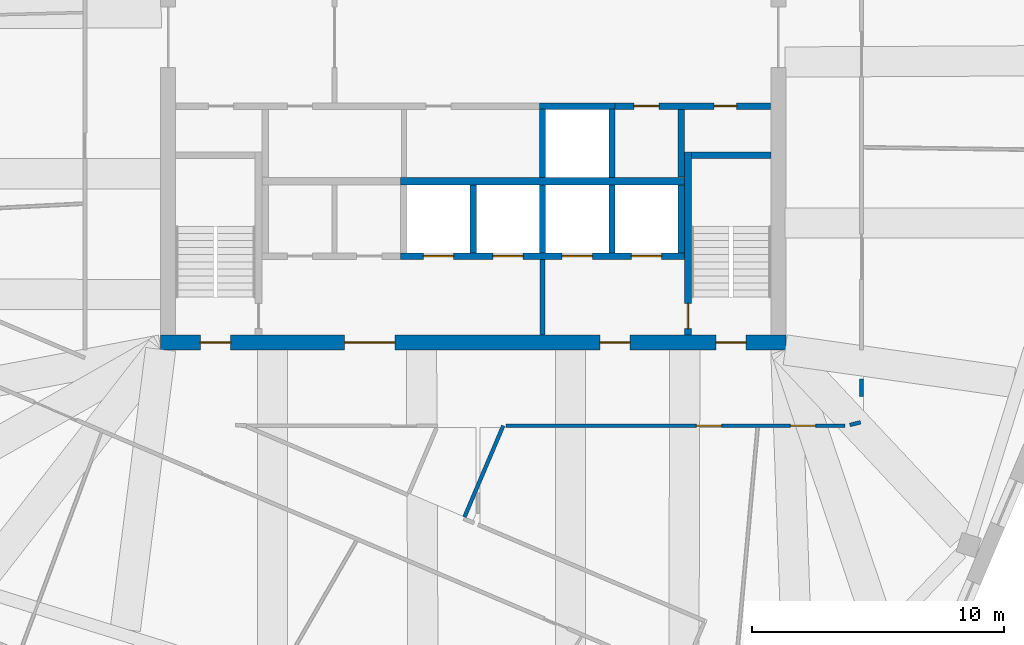
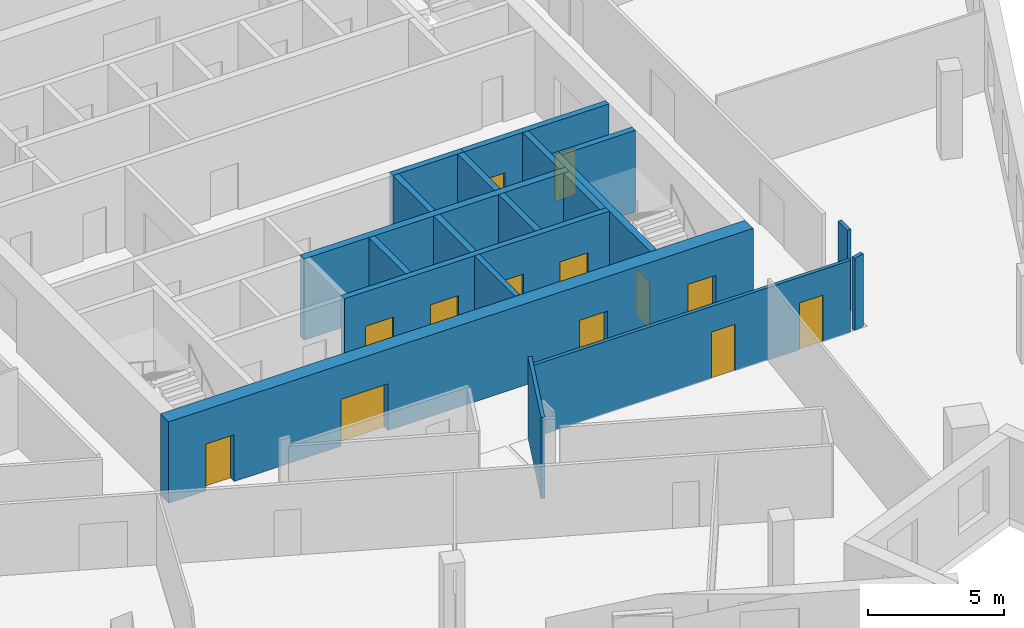
# One storey, part 7 of 13: 19 walls, 13 doors, 13 openings.
"""IFC4 building model written with IfcOpenShell, lengths in metres."""

import ifcopenshell
import ifcopenshell.guid

model = None  # the IFC model being written
_history = None  # IfcOwnerHistory: only IFC2X3 demands one
_inside = {}  # id of a spatial element -> (the spatial element, [elements in it])
_under = {}  # id of a project, library or spatial element -> (it, [spatial elements below it])
_declared = {}  # id of a project -> (the project, [libraries it declares])
_typed = {}  # id of a type object -> (the type object, [elements of that type])
_made_of = {}  # id of a material, layer set ... -> (it, [elements and type objects made of it])


def new_model(schema):
    """Start an empty IFC model of exactly this schema.

    Asked for "IFC4X3", IfcOpenShell would pick the latest addendum, in which some entities
    have other attributes; the version numbers below select the first issue.
    IFC2X3 requires an IfcOwnerHistory on every rooted entity: one is made here for all.
    """
    global model, _history
    if schema == "IFC4X3":
        model = ifcopenshell.file(schema_version=(4, 3, 0, 0))
    else:
        model = ifcopenshell.file(schema=schema)
    _inside.clear()
    _under.clear()
    _declared.clear()
    _typed.clear()
    _made_of.clear()
    _history = None
    if model.schema == "IFC2X3":
        org = make("IfcOrganization", Name="unknown")
        user = make(
            "IfcPersonAndOrganization",
            ThePerson=make("IfcPerson", FamilyName="unknown"),
            TheOrganization=org,
        )
        app = make(
            "IfcApplication",
            ApplicationDeveloper=org,
            Version="unknown",
            ApplicationFullName="unknown",
            ApplicationIdentifier="unknown",
        )
        _history = make(
            "IfcOwnerHistory",
            OwningUser=user,
            OwningApplication=app,
            ChangeAction="ADDED",
            CreationDate=0,
        )
    return model


def make(cls, **values):
    """One entity of the class cls with the attributes given. An attribute that is None is left unset."""
    return model.create_entity(
        cls, **{name: value for name, value in values.items() if value is not None}
    )


def rooted(cls, **values):
    """An entity with a GlobalId (a new one), such as an element, a storey or a relation."""
    return make(cls, GlobalId=ifcopenshell.guid.new(), OwnerHistory=_history, **values)


def si_unit(unit_type, name, prefix=None):
    """IfcSIUnit, for example si_unit("LENGTHUNIT", "METRE", prefix="MILLI")."""
    return make("IfcSIUnit", UnitType=unit_type, Prefix=prefix, Name=name)


def assignment(units):
    """IfcUnitAssignment: the units of a project."""
    return None if units is None else make("IfcUnitAssignment", Units=units)


def point(xyz):
    """IfcCartesianPoint."""
    return None if xyz is None else make("IfcCartesianPoint", Coordinates=xyz)


def direction(xyz):
    """IfcDirection."""
    return None if xyz is None else make("IfcDirection", DirectionRatios=xyz)


def frame(location, z_axis=None, x_axis=None):
    """IfcAxis2Placement3D, a coordinate frame: its origin and axes. An axis left out is left unset."""
    return make(
        "IfcAxis2Placement3D",
        Location=point(location),
        Axis=direction(z_axis),
        RefDirection=direction(x_axis),
    )


def frame_2d(location, x_axis=None):
    """IfcAxis2Placement2D, a coordinate frame in the plane: its origin and x axis."""
    return make(
        "IfcAxis2Placement2D", Location=point(location), RefDirection=direction(x_axis)
    )


def origin():
    """The frame at (0, 0, 0) with its axes left unset."""
    return frame((0.0, 0.0, 0.0))


def place(relative_to, where):
    """IfcLocalPlacement: puts the frame where relative to a parent placement (None: the world)."""
    return make(
        "IfcLocalPlacement", PlacementRelTo=relative_to, RelativePlacement=where
    )


def context(
    kind, dimensions, precision=None, world=None, true_north=None, identifier=None
):
    """IfcGeometricRepresentationContext, for example the 3D "Model" context."""
    return make(
        "IfcGeometricRepresentationContext",
        ContextIdentifier=identifier,
        ContextType=kind,
        CoordinateSpaceDimension=dimensions,
        Precision=precision,
        WorldCoordinateSystem=world,
        TrueNorth=true_north,
    )


def subcontext(parent, identifier, kind, view, scale=None):
    """IfcGeometricRepresentationSubContext, for example "Body" below "Model"."""
    return make(
        "IfcGeometricRepresentationSubContext",
        ContextIdentifier=identifier,
        ContextType=kind,
        ParentContext=parent,
        TargetScale=scale,
        TargetView=view,
    )


def project(units=None, contexts=None):
    """IfcProject with its units and contexts."""
    return rooted(
        "IfcProject",
        Name="project",
        RepresentationContexts=contexts,
        UnitsInContext=assignment(units),
    )


def spatial(cls, under=None, at=None, **own):
    """A site, building, storey or space (cls), placed at a placement, below another one or the project."""
    s = rooted(cls, ObjectPlacement=at, **own)
    if under is not None:
        _under.setdefault(under.id(), (under, []))[1].append(s)
    return s


def profile(cls, at=None, kind="AREA", **sizes):
    """A parametric profile (cls). Its sizes go by their IFC names, for example OverallWidth=200.0."""
    return make(cls, ProfileType=kind, Position=at, **sizes)


def rectangle(**sizes):
    """IfcRectangleProfileDef."""
    return profile("IfcRectangleProfileDef", **sizes)


def extrude(swept, where, along, depth):
    """IfcExtrudedAreaSolid: the profile swept, set in the frame where, extruded along a direction by depth."""
    return make(
        "IfcExtrudedAreaSolid",
        SweptArea=swept,
        Position=where,
        ExtrudedDirection=direction(along),
        Depth=depth,
    )


def shape(context_of_items, identifier, shape_type, items):
    """IfcShapeRepresentation: the items that make up one representation, for example the "Body"."""
    return make(
        "IfcShapeRepresentation",
        ContextOfItems=context_of_items,
        RepresentationIdentifier=identifier,
        RepresentationType=shape_type,
        Items=items,
    )


def material(Name=None, Category=None):
    """IfcMaterial."""
    return make("IfcMaterial", Name=Name, Category=Category)


def layer(
    of_material, thickness, ventilated=None, Name=None, Category=None, Priority=None
):
    """IfcMaterialLayer: one layer of a wall or slab, of a material (None: an air gap)."""
    return make(
        "IfcMaterialLayer",
        Material=of_material,
        LayerThickness=thickness,
        IsVentilated=ventilated,
        Name=Name,
        Category=Category,
        Priority=Priority,
    )


def layer_set(layers, Name=None):
    """IfcMaterialLayerSet."""
    return make("IfcMaterialLayerSet", MaterialLayers=layers, LayerSetName=Name)


def made_of(thing, what):
    """Note that an element or type object is made of a material, layer set ...; save() writes the relation."""
    if what is not None:
        _made_of.setdefault(what.id(), (what, []))[1].append(thing)
    return thing


def type_object(cls, material=None, **own):
    """A type object (cls), such as IfcWallType, which elements share."""
    return made_of(rooted(cls, **own), material)


def element(
    cls,
    number,
    at=None,
    inside=None,
    cuts=None,
    type_object=None,
    material=None,
    context=None,
    identifier="Body",
    shape_type=None,
    held_by="IfcProductDefinitionShape",
    body=None,
    shapes=None,
    **own,
):
    """One element of the class cls, such as IfcWall. Its Tag is "e" and its number.

    at: its placement. inside: the storey or other place that contains it. cuts: it is an
    opening in that element (IfcRelVoidsElement). A single representation is given by context,
    identifier, shape_type and body (its items); several are given by shapes. held_by: the class
    of the entity that holds the representations. save() writes the other relations.
    """
    e = rooted(cls, Tag="e%d" % number, ObjectPlacement=at, **own)
    if body is not None:
        shapes = [shape(context, identifier, shape_type, body)]
    if shapes is not None:
        e.Representation = make(held_by, Representations=shapes)
    if inside is not None:
        _inside.setdefault(inside.id(), (inside, []))[1].append(e)
    if cuts is not None:
        rooted(
            "IfcRelVoidsElement", RelatingBuildingElement=cuts, RelatedOpeningElement=e
        )
    if type_object is not None:
        _typed.setdefault(type_object.id(), (type_object, []))[1].append(e)
    return made_of(e, material)


def fill(opening, filler):
    """IfcRelFillsElement: the door or window that sits in an opening."""
    return rooted(
        "IfcRelFillsElement",
        RelatingOpeningElement=opening,
        RelatedBuildingElement=filler,
    )


def aggregate(whole, parts):
    """IfcRelAggregates: a whole, such as a stair, and the parts it consists of."""
    return rooted("IfcRelAggregates", RelatingObject=whole, RelatedObjects=parts)


def save(model, path):
    """Write the relations noted so far, then the file.

    IfcRelAggregates (storeys below a building ...), IfcRelContainedInSpatialStructure (elements
    in a storey), IfcRelDefinesByType, IfcRelAssociatesMaterial and IfcRelDeclares: one each for
    every whole, place, type object, material and project.
    """
    for whole, parts in _under.values():
        aggregate(whole, parts)
    for where, things in _inside.values():
        rooted(
            "IfcRelContainedInSpatialStructure",
            RelatedElements=things,
            RelatingStructure=where,
        )
    for kind, things in _typed.values():
        rooted("IfcRelDefinesByType", RelatedObjects=things, RelatingType=kind)
    for what, things in _made_of.values():
        rooted("IfcRelAssociatesMaterial", RelatedObjects=things, RelatingMaterial=what)
    for by, libraries in _declared.values():
        rooted("IfcRelDeclares", RelatingContext=by, RelatedDefinitions=libraries)
    model.write(path)


model = new_model("IFC4")

# Units and contexts
model_context = context("Model", 3, precision=1e-05, world=origin(), true_north=direction((0.0, 1.0)))
body_context = subcontext(model_context, "Body", "Model", "MODEL_VIEW")
ifc_project = project(units=[si_unit("LENGTHUNIT", "METRE"), si_unit("AREAUNIT", "SQUARE_METRE"), si_unit("VOLUMEUNIT", "CUBIC_METRE"), si_unit("PLANEANGLEUNIT", "RADIAN"), si_unit("MASSUNIT", "GRAM", prefix="KILO")], contexts=[model_context])

# Site, building, storey
site_placement = place(None, origin())
site = spatial("IfcSite", under=ifc_project, at=site_placement, CompositionType="ELEMENT")
building_placement = place(site_placement, origin())
building = spatial("IfcBuilding", under=site, at=building_placement, Name="Dilmun Exchange Tower", CompositionType="ELEMENT")
storey_placement = place(building_placement, frame((0.0, 0.0, 300.5)))
storey = spatial("IfcBuildingStorey", under=building, at=storey_placement, Name="L71", CompositionType="ELEMENT", Elevation=300.5)

# Walls
ifc_material_1 = material(Name="Concrete C40/50", Category="concrete")
ifc_layer_1 = layer(ifc_material_1, 0.199951171875)
ifc_layer_set_1 = layer_set([ifc_layer_1], Name="Concrete C40/50")
wall_type_1 = type_object("IfcWallType", Name="Core partition wall 200", PredefinedType="PARTITIONING", material=ifc_layer_set_1)
wall_1_placement = place(storey_placement, frame((2.75, -11.794921875, 0.0), z_axis=(0.0, 0.0, 1.0), x_axis=(0.0, 1.0, 0.0)))
element("IfcWall", 1, at=wall_1_placement, inside=storey, type_object=wall_type_1, Name="L71 core partition wall 01", PredefinedType="PARTITIONING", context=body_context, shape_type="SweptSolid", body=[
    extrude(rectangle(XDim=2.989990234375, YDim=0.199951171875, at=frame_2d((1.4951171875, 0.0))), origin(), (0.0, 0.0, 1.0), 3.64990234375),
])
ifc_layer_2 = layer(ifc_material_1, 0.25)
ifc_layer_set_2 = layer_set([ifc_layer_2], Name="Concrete C40/50")
wall_type_2 = type_object("IfcWallType", Name="Core partition wall 250", PredefinedType="PARTITIONING", material=ifc_layer_set_2)
wall_2_placement = place(storey_placement, frame((8.25, -5.544921875, 0.0), z_axis=(0.0, 0.0, 1.0), x_axis=(0.0, 1.0, 0.0)))
element("IfcWall", 2, at=wall_2_placement, inside=storey, type_object=wall_type_2, Name="L71 core partition wall 08", PredefinedType="PARTITIONING", context=body_context, shape_type="SweptSolid", body=[
    extrude(rectangle(XDim=2.68994140625, YDim=0.25, at=frame_2d((1.344970703125, 0.0))), origin(), (0.0, 0.0, 1.0), 3.64990234375),
])

# Wall, openings, doors
wall_3_placement = place(storey_placement, frame((5.6298828125, -2.72509765625, 0.0), z_axis=(0.0, 0.0, 1.0), x_axis=(1.0, 0.0, 0.0)))
wall_3 = element("IfcWall", 3, at=wall_3_placement, inside=storey, type_object=wall_type_2, Name="L71 core partition wall 10", PredefinedType="PARTITIONING", context=body_context, shape_type="SweptSolid", body=[
    extrude(rectangle(XDim=6.1650390625, YDim=0.25, at=frame_2d((3.08251953125, 0.0))), origin(), (0.0, 0.0, 1.0), 3.64990234375),
])
opening_1_placement = place(wall_3_placement, frame((0.7451171875, 0.0, 0.0)))
opening_1 = element("IfcOpeningElement", 4, at=opening_1_placement, cuts=wall_3, Name="Opening CD4", PredefinedType="OPENING", context=body_context, shape_type="SweptSolid", body=[
    extrude(rectangle(XDim=1.0, YDim=2.10009765625, at=frame_2d((0.5, 1.050048828125))), frame((0.0, 0.135009765625, 0.0), z_axis=(0.0, -1.0, 0.0), x_axis=(1.0, 0.0, 0.0)), (0.0, 0.0, 1.0), 0.27001953125),
])
opening_2_placement = place(wall_3_placement, frame((3.919921875, 0.0, 0.0)))
opening_2 = element("IfcOpeningElement", 5, at=opening_2_placement, cuts=wall_3, Name="Opening CD6", PredefinedType="OPENING", context=body_context, shape_type="SweptSolid", body=[
    extrude(rectangle(XDim=0.89990234375, YDim=2.10009765625, at=frame_2d((0.449951171875, 1.050048828125))), frame((0.0, 0.135009765625, 0.0), z_axis=(0.0, -1.0, 0.0), x_axis=(1.0, 0.0, 0.0)), (0.0, 0.0, 1.0), 0.27001953125),
])
ifc_material_2 = material(Name="Fire-rated steel door set", Category="steel")
door_type_1 = type_object("IfcDoorType", Name="Core room door 1000x2100", OperationType="SINGLE_SWING_LEFT", PredefinedType="DOOR", material=ifc_material_2)
door_1_placement = place(opening_1_placement, origin())
door_1 = element("IfcDoor", 6, at=door_1_placement, inside=storey, type_object=door_type_1, Name="L71 door Cleaners' store", OperationType="SINGLE_SWING_RIGHT", OverallHeight=2.10009765625, OverallWidth=1.0, PredefinedType="DOOR", context=body_context, shape_type="SweptSolid", body=[
    extrude(rectangle(XDim=1.0, YDim=2.10009765625, at=frame_2d((0.5, 1.050048828125))), frame((0.0, 0.02490234375, 0.0), z_axis=(0.0, -1.0, 0.0), x_axis=(1.0, 0.0, 0.0)), (0.0, 0.0, 1.0), 0.050048828125),
])
fill(opening_1, door_1)
door_type_2 = type_object("IfcDoorType", Name="Core room door 900x2100", OperationType="SINGLE_SWING_LEFT", PredefinedType="DOOR", material=ifc_material_2)
door_2_placement = place(opening_2_placement, origin())
door_2 = element("IfcDoor", 7, at=door_2_placement, inside=storey, type_object=door_type_2, Name="L71 door Comms riser", OperationType="SINGLE_SWING_RIGHT", OverallHeight=2.10009765625, OverallWidth=0.89990234375, PredefinedType="DOOR", context=body_context, shape_type="SweptSolid", body=[
    extrude(rectangle(XDim=0.89990234375, YDim=2.10009765625, at=frame_2d((0.449951171875, 1.050048828125))), frame((0.0, 0.02490234375, 0.0), z_axis=(0.0, -1.0, 0.0), x_axis=(1.0, 0.0, 0.0)), (0.0, 0.0, 1.0), 0.050048828125),
])
fill(opening_2, door_2)

ifc_material_3 = material(Name="Concrete C50/60", Category="concrete")
ifc_layer_3 = layer(ifc_material_3, 0.60009765625)
ifc_layer_set_3 = layer_set([ifc_layer_3], Name="Concrete C50/60")
wall_type_3 = type_object("IfcWallType", Name="Core shear wall 600 Concrete C50/60", PredefinedType="SHEAR", material=ifc_layer_set_3)
wall_4_placement = place(storey_placement, frame((-12.39990234375, -12.10009765625, 0.0), z_axis=(0.0, 0.0, 1.0), x_axis=(1.0, 0.0, 0.0)))
wall_4 = element("IfcWall", 8, at=wall_4_placement, inside=storey, type_object=wall_type_3, Name="L71 core shear wall S", PredefinedType="SHEAR", context=body_context, shape_type="SweptSolid", body=[
    extrude(rectangle(XDim=24.7998046875, YDim=0.60009765625, at=frame_2d((12.39990234375, 0.0))), origin(), (0.0, 0.0, 1.0), 3.64990234375),
])
opening_3_placement = place(wall_4_placement, frame((7.300048828125, 0.0, 0.0)))
opening_3 = element("IfcOpeningElement", 9, at=opening_3_placement, cuts=wall_4, Name="Opening CD2", PredefinedType="OPENING", context=body_context, shape_type="SweptSolid", body=[
    extrude(rectangle(XDim=2.0, YDim=2.10009765625, at=frame_2d((1.0, 1.050048828125))), frame((0.0, 0.31005859375, 0.0), z_axis=(0.0, -1.0, 0.0), x_axis=(1.0, 0.0, 0.0)), (0.0, 0.0, 1.0), 0.6201171875),
])
opening_4_placement = place(wall_4_placement, frame((17.425048828125, 0.0, 0.0)))
opening_4 = element("IfcOpeningElement", 10, at=opening_4_placement, cuts=wall_4, Name="Opening CD3", PredefinedType="OPENING", context=body_context, shape_type="SweptSolid", body=[
    extrude(rectangle(XDim=1.199951171875, YDim=2.10009765625, at=frame_2d((0.60009765625, 1.050048828125))), frame((0.0, 0.31005859375, 0.0), z_axis=(0.0, -1.0, 0.0), x_axis=(1.0, 0.0, 0.0)), (0.0, 0.0, 1.0), 0.6201171875),
])
opening_5_placement = place(wall_4_placement, frame((1.574951171875, 0.0, 0.0)))
opening_5 = element("IfcOpeningElement", 11, at=opening_5_placement, cuts=wall_4, Name="Opening CD3", PredefinedType="OPENING", context=body_context, shape_type="SweptSolid", body=[
    extrude(rectangle(XDim=1.199951171875, YDim=2.10009765625, at=frame_2d((0.60009765625, 1.050048828125))), frame((0.0, 0.31005859375, 0.0), z_axis=(0.0, -1.0, 0.0), x_axis=(1.0, 0.0, 0.0)), (0.0, 0.0, 1.0), 0.6201171875),
])
opening_6_placement = place(wall_4_placement, frame((22.02490234375, 0.0, 0.0)))
opening_6 = element("IfcOpeningElement", 12, at=opening_6_placement, cuts=wall_4, Name="Opening CD3", PredefinedType="OPENING", context=body_context, shape_type="SweptSolid", body=[
    extrude(rectangle(XDim=1.199951171875, YDim=2.10009765625, at=frame_2d((0.60009765625, 1.050048828125))), frame((0.0, 0.31005859375, 0.0), z_axis=(0.0, -1.0, 0.0), x_axis=(1.0, 0.0, 0.0)), (0.0, 0.0, 1.0), 0.6201171875),
])
door_type_3 = type_object("IfcDoorType", Name="Core service door 2000x2100", OperationType="DOUBLE_DOOR_DOUBLE_SWING", PredefinedType="DOOR", material=ifc_material_2)
door_3_placement = place(opening_3_placement, origin())
door_3 = element("IfcDoor", 13, at=door_3_placement, inside=storey, type_object=door_type_3, Name="L71 door South service lobby", OperationType="SINGLE_SWING_LEFT", OverallHeight=2.10009765625, OverallWidth=2.0, PredefinedType="DOOR", context=body_context, shape_type="SweptSolid", body=[
    extrude(rectangle(XDim=2.0, YDim=2.10009765625, at=frame_2d((1.0, 1.050048828125))), frame((0.0, 0.02490234375, 0.0), z_axis=(0.0, -1.0, 0.0), x_axis=(1.0, 0.0, 0.0)), (0.0, 0.0, 1.0), 0.050048828125),
])
fill(opening_3, door_3)
door_type_4 = type_object("IfcDoorType", Name="Stair exit door 1200x2100", OperationType="SINGLE_SWING_LEFT", PredefinedType="DOOR", material=ifc_material_2)
door_4_placement = place(opening_4_placement, origin())
door_4 = element("IfcDoor", 14, at=door_4_placement, inside=storey, type_object=door_type_4, Name="L71 door Fire-fighting lobby", OperationType="SINGLE_SWING_LEFT", OverallHeight=2.10009765625, OverallWidth=1.199951171875, PredefinedType="DOOR", context=body_context, shape_type="SweptSolid", body=[
    extrude(rectangle(XDim=1.199951171875, YDim=2.10009765625, at=frame_2d((0.60009765625, 1.050048828125))), frame((0.0, 0.02490234375, 0.0), z_axis=(0.0, -1.0, 0.0), x_axis=(1.0, 0.0, 0.0)), (0.0, 0.0, 1.0), 0.050048828125),
])
fill(opening_4, door_4)
door_5_placement = place(opening_5_placement, origin())
door_5 = element("IfcDoor", 15, at=door_5_placement, inside=storey, type_object=door_type_4, Name="L71 door Stair ST2", OperationType="SINGLE_SWING_LEFT", OverallHeight=2.10009765625, OverallWidth=1.199951171875, PredefinedType="DOOR", context=body_context, shape_type="SweptSolid", body=[
    extrude(rectangle(XDim=1.199951171875, YDim=2.10009765625, at=frame_2d((0.60009765625, 1.050048828125))), frame((0.0, 0.02490234375, 0.0), z_axis=(0.0, -1.0, 0.0), x_axis=(1.0, 0.0, 0.0)), (0.0, 0.0, 1.0), 0.050048828125),
])
fill(opening_5, door_5)
door_6_placement = place(opening_6_placement, origin())
door_6 = element("IfcDoor", 16, at=door_6_placement, inside=storey, type_object=door_type_4, Name="L71 door Stair ST3", OperationType="SINGLE_SWING_LEFT", OverallHeight=2.10009765625, OverallWidth=1.199951171875, PredefinedType="DOOR", context=body_context, shape_type="SweptSolid", body=[
    extrude(rectangle(XDim=1.199951171875, YDim=2.10009765625, at=frame_2d((0.60009765625, 1.050048828125))), frame((0.0, 0.02490234375, 0.0), z_axis=(0.0, -1.0, 0.0), x_axis=(1.0, 0.0, 0.0)), (0.0, 0.0, 1.0), 0.050048828125),
])
fill(opening_6, door_6)

# Wall
ifc_material_4 = material(Name="Corridor wall 150")
ifc_layer_4 = layer(ifc_material_4, 0.14990234375)
ifc_layer_set_4 = layer_set([ifc_layer_4], Name="Corridor wall 150")
wall_type_4 = type_object("IfcWallType", Name="Corridor wall 150", PredefinedType="PARTITIONING", material=ifc_layer_set_4)
wall_5_placement = place(storey_placement, frame((-0.345703125, -19.018798828125, 0.0), z_axis=(0.0, 0.0, 1.0), x_axis=(0.390836874274, 0.920459959861, 0.0)))
element("IfcWall", 17, at=wall_5_placement, inside=storey, type_object=wall_type_4, Name="Corridor wall", PredefinedType="PARTITIONING", context=body_context, shape_type="SweptSolid", body=[
    extrude(rectangle(XDim=3.931640625, YDim=0.14990234375, at=frame_2d((1.9658203125, 0.0))), origin(), (0.0, 0.0, 1.0), 3.64990234375),
])

# Wall, openings, doors
wall_6_placement = place(storey_placement, frame((1.30419921875, -15.39990234375, 0.0), z_axis=(0.0, 0.0, 1.0), x_axis=(1.0, 0.0, 0.0)))
wall_6 = element("IfcWall", 18, at=wall_6_placement, inside=storey, type_object=wall_type_4, Name="Corridor wall", PredefinedType="PARTITIONING", context=body_context, shape_type="SweptSolid", body=[
    extrude(rectangle(XDim=13.44580078125, YDim=0.14990234375, at=frame_2d((6.722900390625, 0.0))), origin(), (0.0, 0.0, 1.0), 3.25),
])
opening_7_placement = place(wall_6_placement, frame((7.550048828125, 0.0, 0.0)))
opening_7 = element("IfcOpeningElement", 19, at=opening_7_placement, cuts=wall_6, Name="Opening TF70-D11", PredefinedType="OPENING", context=body_context, shape_type="SweptSolid", body=[
    extrude(rectangle(XDim=1.0, YDim=2.10009765625, at=frame_2d((0.5, 1.050048828125))), frame((0.0, 0.0849609375, 0.0), z_axis=(0.0, -1.0, 0.0), x_axis=(1.0, 0.0, 0.0)), (0.0, 0.0, 1.0), 0.169921875),
])
opening_8_placement = place(wall_6_placement, frame((11.2783203125, 0.0, 0.0)))
opening_8 = element("IfcOpeningElement", 20, at=opening_8_placement, cuts=wall_6, Name="Opening TF70-D15", PredefinedType="OPENING", context=body_context, shape_type="SweptSolid", body=[
    extrude(rectangle(XDim=1.0, YDim=2.10009765625, at=frame_2d((0.5, 1.050048828125))), frame((0.0, 0.0849609375, 0.0), z_axis=(0.0, -1.0, 0.0), x_axis=(1.0, 0.0, 0.0)), (0.0, 0.0, 1.0), 0.169921875),
])
ifc_material_5 = material(Name="Fire door 1000 x 2100")
door_type_5 = type_object("IfcDoorType", Name="Fire door 1000 x 2100", OperationType="NOTDEFINED", PredefinedType="DOOR", material=ifc_material_5)
door_7_placement = place(opening_7_placement, frame((1.0, 0.0, 0.0), z_axis=(0.0, 0.0, 1.0), x_axis=(-1.0, 0.0, 0.0)))
door_7 = element("IfcDoor", 21, at=door_7_placement, inside=storey, type_object=door_type_5, Name="Door TF70-D11", OperationType="SINGLE_SWING_RIGHT", OverallHeight=2.10009765625, OverallWidth=1.0, PredefinedType="DOOR", context=body_context, shape_type="SweptSolid", body=[
    extrude(rectangle(XDim=1.0, YDim=2.10009765625, at=frame_2d((0.5, 1.050048828125))), frame((0.0, 0.02490234375, 0.0), z_axis=(0.0, -1.0, 0.0), x_axis=(1.0, 0.0, 0.0)), (0.0, 0.0, 1.0), 0.050048828125),
])
fill(opening_7, door_7)
door_8_placement = place(opening_8_placement, frame((1.0, 0.0, 0.0), z_axis=(0.0, 0.0, 1.0), x_axis=(-1.0, 0.0, 0.0)))
door_8 = element("IfcDoor", 22, at=door_8_placement, inside=storey, type_object=door_type_5, Name="Door TF70-D15", OperationType="SINGLE_SWING_RIGHT", OverallHeight=2.10009765625, OverallWidth=1.0, PredefinedType="DOOR", context=body_context, shape_type="SweptSolid", body=[
    extrude(rectangle(XDim=1.0, YDim=2.10009765625, at=frame_2d((0.5, 1.050048828125))), frame((0.0, 0.02490234375, 0.0), z_axis=(0.0, -1.0, 0.0), x_axis=(1.0, 0.0, 0.0)), (0.0, 0.0, 1.0), 0.050048828125),
])
fill(opening_8, door_8)

# Walls
wall_7_placement = place(storey_placement, frame((15.359619140625, -15.263427734375, 0.0), z_axis=(0.0, 0.0, 1.0), x_axis=(-0.968229060736, -0.250064963452, 0.0)))
element("IfcWall", 23, at=wall_7_placement, inside=storey, type_object=wall_type_4, Name="Corridor wall", PredefinedType="PARTITIONING", context=body_context, shape_type="SweptSolid", body=[
    extrude(rectangle(XDim=0.4345703125, YDim=0.14990234375, at=frame_2d((0.21728515625, 0.0))), origin(), (0.0, 0.0, 1.0), 3.25),
])
wall_8_placement = place(storey_placement, frame((15.39990234375, -14.250244140625, 0.0), z_axis=(0.0, 0.0, 1.0), x_axis=(0.0, 1.0, 0.0)))
element("IfcWall", 24, at=wall_8_placement, inside=storey, type_object=wall_type_4, Name="Corridor wall", PredefinedType="PARTITIONING", context=body_context, shape_type="SweptSolid", body=[
    extrude(rectangle(XDim=0.700439453125, YDim=0.14990234375, at=frame_2d((0.35009765625, 0.0))), origin(), (0.0, 0.0, 1.0), 3.64990234375),
])
ifc_layer_5 = layer(ifc_material_1, 0.300048828125)
ifc_layer_set_5 = layer_set([ifc_layer_5], Name="Concrete C40/50")
wall_type_5 = type_object("IfcWallType", Name="Lift shaft shared wall 300", PredefinedType="SOLIDWALL", material=ifc_layer_set_5)
wall_9_placement = place(storey_placement, frame((-2.875, -5.699951171875, 0.0), z_axis=(0.0, 0.0, 1.0), x_axis=(1.0, 0.0, 0.0)))
element("IfcWall", 25, at=wall_9_placement, inside=storey, type_object=wall_type_5, Name="L71 lift shaft rear wall S", PredefinedType="SOLIDWALL", context=body_context, shape_type="SweptSolid", body=[
    extrude(rectangle(XDim=11.25, YDim=0.300048828125, at=frame_2d((5.625, 0.0))), origin(), (0.0, 0.0, 1.0), 3.64990234375),
])
ifc_layer_6 = layer(ifc_material_1, 0.25)
ifc_layer_set_6 = layer_set([ifc_layer_6], Name="Concrete C40/50")
wall_type_6 = type_object("IfcWallType", Name="Lift shaft wall 250", PredefinedType="SOLIDWALL", material=ifc_layer_set_6)
wall_10_placement = place(storey_placement, frame((2.625, -2.72509765625, 0.0), z_axis=(0.0, 0.0, 1.0), x_axis=(1.0, 0.0, 0.0)))
element("IfcWall", 26, at=wall_10_placement, inside=storey, type_object=wall_type_6, Name="L71 lift shaft front wall S1", PredefinedType="SOLIDWALL", context=body_context, shape_type="SweptSolid", body=[
    extrude(rectangle(XDim=3.0, YDim=0.25, at=frame_2d((1.5, 0.0))), origin(), (0.0, 0.0, 1.0), 3.64990234375),
])
for number, where, z_axis, x_axis, name in (
    (27, (2.75, -5.550048828125, 0.0), (0.0, 0.0, 1.0), (0.0, 1.0, 0.0), "L71 lift shaft divider S14"),
    (28, (5.5, -5.550048828125, 0.0), (0.0, 0.0, 1.0), (0.0, 1.0, 0.0), "L71 lift shaft divider S15"),
):
    element("IfcWall", number, at=place(storey_placement, frame(where, z_axis=z_axis, x_axis=x_axis)), inside=storey, type_object=wall_type_6, Name=name, PredefinedType="SOLIDWALL", context=body_context, shape_type="SweptSolid", body=[
        extrude(rectangle(XDim=2.699951171875, YDim=0.25, at=frame_2d((1.35009765625, 0.0))), origin(), (0.0, 0.0, 1.0), 3.64990234375),
    ])

# Wall, openings, doors
wall_11_placement = place(storey_placement, frame((-2.875, -8.675048828125, 0.0), z_axis=(0.0, 0.0, 1.0), x_axis=(1.0, 0.0, 0.0)))
wall_11 = element("IfcWall", 29, at=wall_11_placement, inside=storey, type_object=wall_type_6, Name="L71 lift shaft front wall S2", PredefinedType="SOLIDWALL", context=body_context, shape_type="SweptSolid", body=[
    extrude(rectangle(XDim=11.25, YDim=0.25, at=frame_2d((5.625, 0.0))), origin(), (0.0, 0.0, 1.0), 3.64990234375),
])
opening_9_placement = place(wall_11_placement, frame((0.89990234375, 0.0, 0.0)))
opening_9 = element("IfcOpeningElement", 30, at=opening_9_placement, cuts=wall_11, Name="Opening LD", PredefinedType="OPENING", context=body_context, shape_type="SweptSolid", body=[
    extrude(rectangle(XDim=1.199951171875, YDim=2.10009765625, at=frame_2d((0.60009765625, 1.050048828125))), frame((0.0, 0.135009765625, 0.0), z_axis=(0.0, -1.0, 0.0), x_axis=(1.0, 0.0, 0.0)), (0.0, 0.0, 1.0), 0.27001953125),
])
opening_10_placement = place(wall_11_placement, frame((3.64990234375, 0.0, 0.0)))
opening_10 = element("IfcOpeningElement", 31, at=opening_10_placement, cuts=wall_11, Name="Opening LD", PredefinedType="OPENING", context=body_context, shape_type="SweptSolid", body=[
    extrude(rectangle(XDim=1.199951171875, YDim=2.10009765625, at=frame_2d((0.60009765625, 1.050048828125))), frame((0.0, 0.135009765625, 0.0), z_axis=(0.0, -1.0, 0.0), x_axis=(1.0, 0.0, 0.0)), (0.0, 0.0, 1.0), 0.27001953125),
])
opening_11_placement = place(wall_11_placement, frame((6.39990234375, 0.0, 0.0)))
opening_11 = element("IfcOpeningElement", 32, at=opening_11_placement, cuts=wall_11, Name="Opening LD", PredefinedType="OPENING", context=body_context, shape_type="SweptSolid", body=[
    extrude(rectangle(XDim=1.199951171875, YDim=2.10009765625, at=frame_2d((0.60009765625, 1.050048828125))), frame((0.0, 0.135009765625, 0.0), z_axis=(0.0, -1.0, 0.0), x_axis=(1.0, 0.0, 0.0)), (0.0, 0.0, 1.0), 0.27001953125),
])
opening_12_placement = place(wall_11_placement, frame((9.14990234375, 0.0, 0.0)))
opening_12 = element("IfcOpeningElement", 33, at=opening_12_placement, cuts=wall_11, Name="Opening LD", PredefinedType="OPENING", context=body_context, shape_type="SweptSolid", body=[
    extrude(rectangle(XDim=1.199951171875, YDim=2.10009765625, at=frame_2d((0.60009765625, 1.050048828125))), frame((0.0, 0.135009765625, 0.0), z_axis=(0.0, -1.0, 0.0), x_axis=(1.0, 0.0, 0.0)), (0.0, 0.0, 1.0), 0.27001953125),
])
door_type_6 = type_object("IfcDoorType", Name="Lift landing door 1200x2100", OperationType="DOUBLE_DOOR_SLIDING", PredefinedType="DOOR", material=ifc_material_2)
door_9_placement = place(opening_9_placement, origin())
door_9 = element("IfcDoor", 34, at=door_9_placement, inside=storey, type_object=door_type_6, Name="L71 landing door SV1", OperationType="DOUBLE_DOOR_SLIDING", OverallHeight=2.10009765625, OverallWidth=1.199951171875, PredefinedType="DOOR", context=body_context, shape_type="SweptSolid", body=[
    extrude(rectangle(XDim=1.199951171875, YDim=2.10009765625, at=frame_2d((0.60009765625, 1.050048828125))), frame((0.0, 0.02490234375, 0.0), z_axis=(0.0, -1.0, 0.0), x_axis=(1.0, 0.0, 0.0)), (0.0, 0.0, 1.0), 0.050048828125),
])
fill(opening_9, door_9)
door_10_placement = place(opening_10_placement, origin())
door_10 = element("IfcDoor", 35, at=door_10_placement, inside=storey, type_object=door_type_6, Name="L71 landing door SV2", OperationType="DOUBLE_DOOR_SLIDING", OverallHeight=2.10009765625, OverallWidth=1.199951171875, PredefinedType="DOOR", context=body_context, shape_type="SweptSolid", body=[
    extrude(rectangle(XDim=1.199951171875, YDim=2.10009765625, at=frame_2d((0.60009765625, 1.050048828125))), frame((0.0, 0.02490234375, 0.0), z_axis=(0.0, -1.0, 0.0), x_axis=(1.0, 0.0, 0.0)), (0.0, 0.0, 1.0), 0.050048828125),
])
fill(opening_10, door_10)
door_11_placement = place(opening_11_placement, origin())
door_11 = element("IfcDoor", 36, at=door_11_placement, inside=storey, type_object=door_type_6, Name="L71 landing door FF1", OperationType="DOUBLE_DOOR_SLIDING", OverallHeight=2.10009765625, OverallWidth=1.199951171875, PredefinedType="DOOR", context=body_context, shape_type="SweptSolid", body=[
    extrude(rectangle(XDim=1.199951171875, YDim=2.10009765625, at=frame_2d((0.60009765625, 1.050048828125))), frame((0.0, 0.02490234375, 0.0), z_axis=(0.0, -1.0, 0.0), x_axis=(1.0, 0.0, 0.0)), (0.0, 0.0, 1.0), 0.050048828125),
])
fill(opening_11, door_11)
door_12_placement = place(opening_12_placement, origin())
door_12 = element("IfcDoor", 37, at=door_12_placement, inside=storey, type_object=door_type_6, Name="L71 landing door FF2", OperationType="DOUBLE_DOOR_SLIDING", OverallHeight=2.10009765625, OverallWidth=1.199951171875, PredefinedType="DOOR", context=body_context, shape_type="SweptSolid", body=[
    extrude(rectangle(XDim=1.199951171875, YDim=2.10009765625, at=frame_2d((0.60009765625, 1.050048828125))), frame((0.0, 0.02490234375, 0.0), z_axis=(0.0, -1.0, 0.0), x_axis=(1.0, 0.0, 0.0)), (0.0, 0.0, 1.0), 0.050048828125),
])
fill(opening_12, door_12)

# Walls
for number, where, z_axis, x_axis, name in (
    (38, (0.0, -8.550048828125, 0.0), (0.0, 0.0, 1.0), (0.0, 1.0, 0.0), "L71 lift shaft divider S23"),
    (39, (2.75, -8.550048828125, 0.0), (0.0, 0.0, 1.0), (0.0, 1.0, 0.0), "L71 lift shaft divider S24"),
    (40, (5.5, -8.550048828125, 0.0), (0.0, 0.0, 1.0), (0.0, 1.0, 0.0), "L71 lift shaft divider S25"),
    (41, (8.25, -8.550048828125, 0.0), (0.0, 0.0, 1.0), (0.0, 1.0, 0.0), "L71 lift shaft divider S26"),
):
    element("IfcWall", number, at=place(storey_placement, frame(where, z_axis=z_axis, x_axis=x_axis)), inside=storey, type_object=wall_type_6, Name=name, PredefinedType="SOLIDWALL", context=body_context, shape_type="SweptSolid", body=[
        extrude(rectangle(XDim=2.699951171875, YDim=0.25, at=frame_2d((1.35009765625, 0.0))), origin(), (0.0, 0.0, 1.0), 3.64990234375),
    ])
ifc_layer_7 = layer(ifc_material_1, 0.25)
ifc_layer_set_7 = layer_set([ifc_layer_7], Name="Concrete C40/50")
wall_type_7 = type_object("IfcWallType", Name="Stair end wall 250", PredefinedType="SOLIDWALL", material=ifc_layer_set_7)
wall_12_placement = place(storey_placement, frame((8.64990234375, -4.675048828125, 0.0), z_axis=(0.0, 0.0, 1.0), x_axis=(1.0, 0.0, 0.0)))
element("IfcWall", 42, at=wall_12_placement, inside=storey, type_object=wall_type_7, Name="L71 ST3 far wall", PredefinedType="SOLIDWALL", context=body_context, shape_type="SweptSolid", body=[
    extrude(rectangle(XDim=3.150146484375, YDim=0.25, at=frame_2d((1.5751953125, 0.0))), origin(), (0.0, 0.0, 1.0), 3.64990234375),
])

# Wall, opening, door
ifc_layer_8 = layer(ifc_material_1, 0.27490234375)
ifc_layer_set_8 = layer_set([ifc_layer_8], Name="Concrete C40/50")
wall_type_8 = type_object("IfcWallType", Name="Stair wall 275", PredefinedType="SOLIDWALL", material=ifc_layer_set_8)
wall_13_placement = place(storey_placement, frame((8.512451171875, -4.550048828125, 0.0), z_axis=(0.0, 0.0, 1.0), x_axis=(0.0, -1.0, 0.0)))
wall_13 = element("IfcWall", 43, at=wall_13_placement, inside=storey, type_object=wall_type_8, Name="L71 ST3 wall to lift block", PredefinedType="SOLIDWALL", context=body_context, shape_type="SweptSolid", body=[
    extrude(rectangle(XDim=7.25, YDim=0.27490234375, at=frame_2d((3.625, 0.0))), origin(), (0.0, 0.0, 1.0), 3.64990234375),
])
opening_13_placement = place(wall_13_placement, frame((6.0, 0.0, 0.0)))
opening_13 = element("IfcOpeningElement", 44, at=opening_13_placement, cuts=wall_13, Name="Opening CD4", PredefinedType="OPENING", context=body_context, shape_type="SweptSolid", body=[
    extrude(rectangle(XDim=1.0, YDim=2.10009765625, at=frame_2d((0.5, 1.050048828125))), frame((0.0, 0.1474609375, 0.0), z_axis=(0.0, -1.0, 0.0), x_axis=(1.0, 0.0, 0.0)), (0.0, 0.0, 1.0), 0.294921875),
])
door_13_placement = place(opening_13_placement, origin())
door_13 = element("IfcDoor", 45, at=door_13_placement, inside=storey, type_object=door_type_1, Name="L71 door ST3 from lobby", OperationType="SINGLE_SWING_LEFT", OverallHeight=2.10009765625, OverallWidth=1.0, PredefinedType="DOOR", context=body_context, shape_type="SweptSolid", body=[
    extrude(rectangle(XDim=1.0, YDim=2.10009765625, at=frame_2d((0.5, 1.050048828125))), frame((0.0, 0.02490234375, 0.0), z_axis=(0.0, -1.0, 0.0), x_axis=(1.0, 0.0, 0.0)), (0.0, 0.0, 1.0), 0.050048828125),
])
fill(opening_13, door_13)

save(model, "model.ifc")
